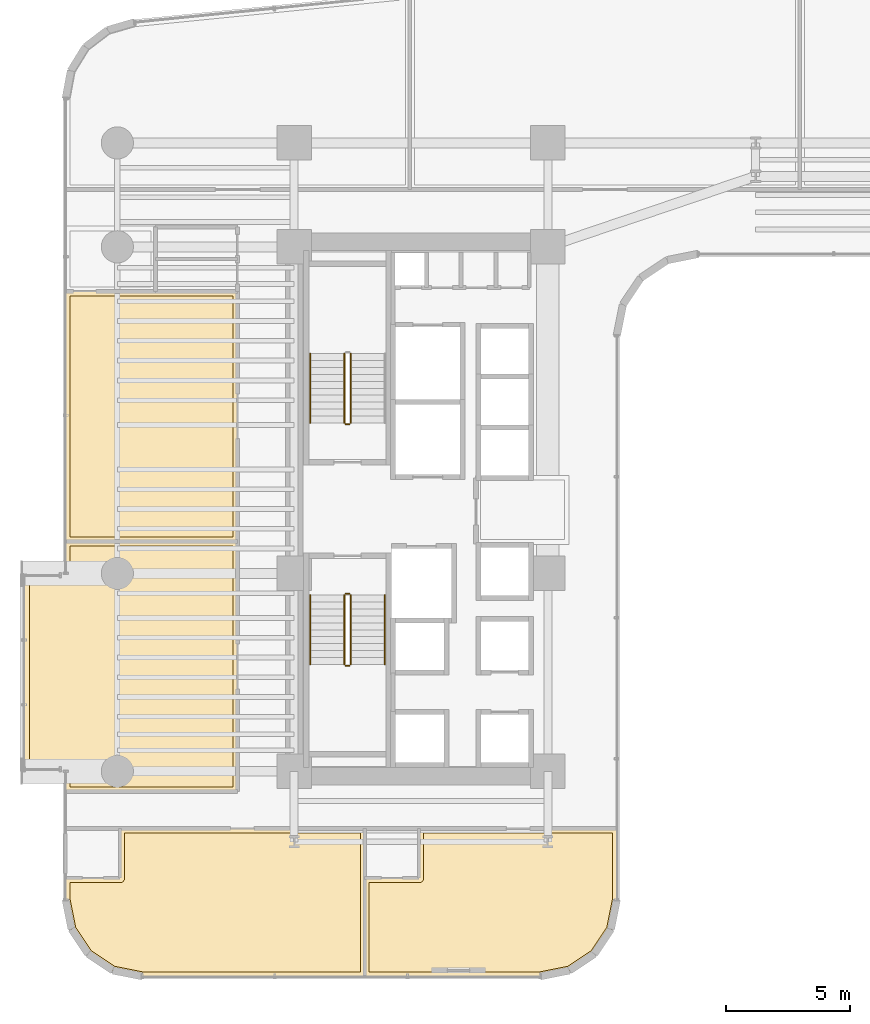
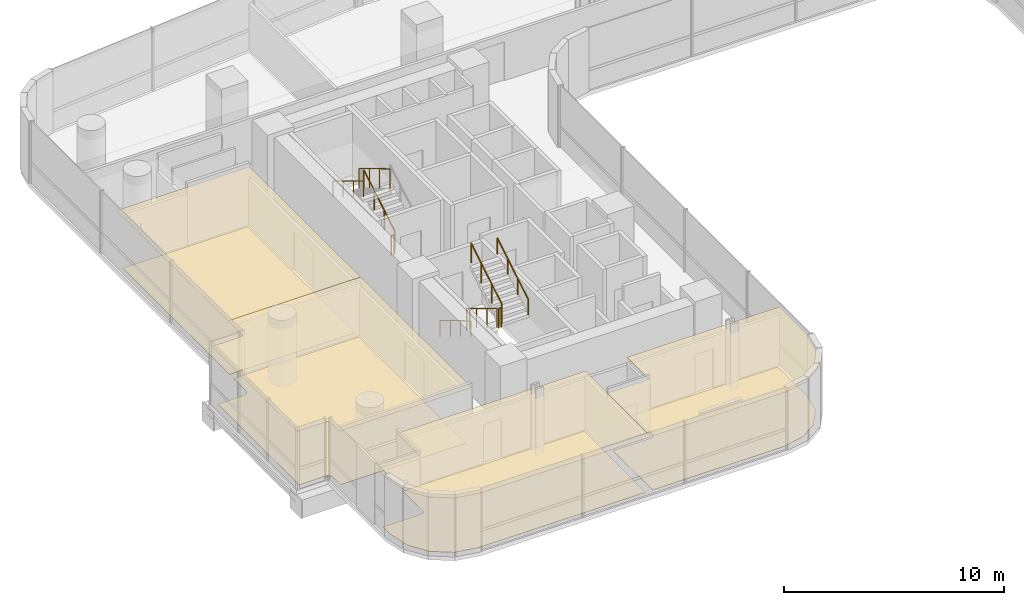
# One storey, part 37 of 41: 10 railings, 8 coverings.
"""IFC4 building model written with IfcOpenShell, lengths in metres."""

from ifc_helpers import new_model, si_unit, direction, frame, origin, origin_2d, place, context, subcontext, project, spatial, polyline, circle, outline, extrude, material, layer, layer_set, type_object, element, save


model = new_model("IFC4")

# Units and contexts
model_context = context("Model", 3, precision=1e-05, world=origin(), true_north=direction((0.0, 1.0)))
body_context = subcontext(model_context, "Body", "Model", "MODEL_VIEW")
ifc_project = project(units=[si_unit("LENGTHUNIT", "METRE"), si_unit("AREAUNIT", "SQUARE_METRE"), si_unit("VOLUMEUNIT", "CUBIC_METRE"), si_unit("PLANEANGLEUNIT", "RADIAN"), si_unit("MASSUNIT", "GRAM", prefix="KILO")], contexts=[model_context])

# Site, building, storey
site_placement = place(None, origin())
site = spatial("IfcSite", under=ifc_project, at=site_placement, CompositionType="ELEMENT")
building_placement = place(site_placement, origin())
building = spatial("IfcBuilding", under=site, at=building_placement, Name="Valdorenza Pilgrim Sanctuary Tower", CompositionType="ELEMENT")
storey_placement = place(building_placement, frame((0.0, 0.0, 63.0)))
storey = spatial("IfcBuildingStorey", under=building, at=storey_placement, Name="L15", CompositionType="ELEMENT", Elevation=63.0)

# Coverings
ifc_material_1 = material(Name="Micro-perforated acoustic mineral ceiling tile", Category="gypsum")
ifc_layer_1 = layer(ifc_material_1, 0.02490234375, Name="Micro-perforated acoustic mineral ceiling tile")
ifc_layer_set_1 = layer_set([ifc_layer_1], Name="Micro-perforated acoustic mineral ceiling tile")
covering_type_1 = type_object("IfcCoveringType", Name="COV-CLG-ACU", PredefinedType="CEILING", material=ifc_layer_set_1)
covering_1_placement = place(storey_placement, frame((0.0, 0.0, 3.159912109375)))
element("IfcCovering", 1, at=covering_1_placement, inside=storey, type_object=covering_type_1, Name="L15 Theological Seminar Classroom L15-WH1 Acoustic Ceiling", PredefinedType="CEILING", context=body_context, shape_type="SweptSolid", body=[
    extrude(outline(polyline([(-24.93505859375, -11.419921875), (-24.93505859375, -11.42138671875), (-24.935302734375, -11.4228515625), (-24.935546875, -11.42431640625), (-24.93603515625, -11.42578125), (-24.936767578125, -11.427001953125), (-24.9375, -11.42822265625), (-24.9384765625, -11.429443359375), (-24.939453125, -11.4306640625), (-24.9404296875, -11.431640625), (-24.941650390625, -11.4326171875), (-24.94287109375, -11.43310546875), (-24.9443359375, -11.433837890625), (-24.945556640625, -11.434326171875), (-24.947021484375, -11.434814453125), (-24.948486328125, -11.434814453125), (-24.949951171875, -11.43505859375), (-31.889892578125, -11.43505859375), (-31.8916015625, -11.434814453125), (-31.892822265625, -11.434814453125), (-31.894287109375, -11.434326171875), (-31.895751953125, -11.433837890625), (-31.897216796875, -11.43310546875), (-31.898193359375, -11.4326171875), (-31.8994140625, -11.431640625), (-31.900634765625, -11.4306640625), (-31.901611328125, -11.429443359375), (-31.902587890625, -11.42822265625), (-31.9033203125, -11.427001953125), (-31.90380859375, -11.42578125), (-31.904296875, -11.42431640625), (-31.90478515625, -11.4228515625), (-31.90478515625, -11.42138671875), (-31.905029296875, -11.419921875), (-31.905029296875, -10.600341796875), (-31.905517578125, -10.5908203125), (-31.90673828125, -10.58154296875), (-31.9091796875, -10.572509765625), (-31.912109375, -10.563720703125), (-31.916259765625, -10.55517578125), (-31.9208984375, -10.547119140625), (-31.926513671875, -10.539794921875), (-31.932861328125, -10.53271484375), (-31.939697265625, -10.526611328125), (-31.947265625, -10.52099609375), (-31.955078125, -10.51611328125), (-31.963623046875, -10.51220703125), (-31.972412109375, -10.509033203125), (-31.9814453125, -10.5068359375), (-31.99072265625, -10.505615234375), (-32.00048828125, -10.5048828125), (-33.5400390625, -10.5048828125), (-33.54150390625, -10.5048828125), (-33.54296875, -10.504638671875), (-33.54443359375, -10.50439453125), (-33.545654296875, -10.50390625), (-33.547119140625, -10.503173828125), (-33.54833984375, -10.50244140625), (-33.549560546875, -10.501708984375), (-33.550537109375, -10.50048828125), (-33.551513671875, -10.49951171875), (-33.552490234375, -10.498291015625), (-33.55322265625, -10.4970703125), (-33.553955078125, -10.49560546875), (-33.554443359375, -10.494384765625), (-33.5546875, -10.492919921875), (-33.554931640625, -10.491455078125), (-33.554931640625, -10.489990234375), (-33.554931640625, -2.7099609375), (-33.554931640625, -2.70849609375), (-33.5546875, -2.70703125), (-33.554443359375, -2.70556640625), (-33.553955078125, -2.704345703125), (-33.55322265625, -2.702880859375), (-33.552490234375, -2.70166015625), (-33.551513671875, -2.700439453125), (-33.550537109375, -2.699462890625), (-33.549560546875, -2.698486328125), (-33.54833984375, -2.697509765625), (-33.547119140625, -2.69677734375), (-33.545654296875, -2.696044921875), (-33.54443359375, -2.695556640625), (-33.54296875, -2.6953125), (-33.54150390625, -2.695068359375), (-33.5400390625, -2.695068359375), (-32.00048828125, -2.695068359375), (-31.99072265625, -2.694580078125), (-31.9814453125, -2.693115234375), (-31.972412109375, -2.69091796875), (-31.963623046875, -2.687744140625), (-31.955078125, -2.683837890625), (-31.947265625, -2.678955078125), (-31.939697265625, -2.67333984375), (-31.932861328125, -2.667236328125), (-31.926513671875, -2.660400390625), (-31.9208984375, -2.65283203125), (-31.916259765625, -2.644775390625), (-31.912109375, -2.63623046875), (-31.9091796875, -2.627685546875), (-31.90673828125, -2.618408203125), (-31.905517578125, -2.609375), (-31.905029296875, -2.599609375), (-31.905029296875, -1.31005859375), (-31.90478515625, -1.30859375), (-31.90478515625, -1.30712890625), (-31.904296875, -1.3056640625), (-31.90380859375, -1.30419921875), (-31.9033203125, -1.302978515625), (-31.902587890625, -1.3017578125), (-31.901611328125, -1.300537109375), (-31.900634765625, -1.29931640625), (-31.8994140625, -1.29833984375), (-31.898193359375, -1.297607421875), (-31.897216796875, -1.296875), (-31.895751953125, -1.296142578125), (-31.894287109375, -1.295654296875), (-31.892822265625, -1.29541015625), (-31.8916015625, -1.295166015625), (-31.889892578125, -1.294921875), (-24.949951171875, -1.294921875), (-24.948486328125, -1.295166015625), (-24.947021484375, -1.29541015625), (-24.945556640625, -1.295654296875), (-24.9443359375, -1.296142578125), (-24.94287109375, -1.296875), (-24.941650390625, -1.297607421875), (-24.9404296875, -1.29833984375), (-24.939453125, -1.29931640625), (-24.9384765625, -1.300537109375), (-24.9375, -1.3017578125), (-24.936767578125, -1.302978515625), (-24.93603515625, -1.30419921875), (-24.935546875, -1.3056640625), (-24.935302734375, -1.30712890625), (-24.93505859375, -1.30859375), (-24.93505859375, -1.31005859375), (-24.93505859375, -11.419921875)])), origin(), (0.0, 0.0, 1.0), 0.025146484375),
])
covering_2_placement = place(storey_placement, frame((0.0, 0.0, 3.159912109375)))
element("IfcCovering", 2, at=covering_2_placement, inside=storey, type_object=covering_type_1, Name="L15 Theological Seminar Classroom L15-WH2 Acoustic Ceiling", PredefinedType="CEILING", context=body_context, shape_type="SweptSolid", body=[
    extrude(outline(polyline([(-28.253662109375, 8.81298828125), (-28.253173828125, 8.81298828125), (-28.25146484375, 8.813232421875), (-28.25, 8.813232421875), (-28.24853515625, 8.81298828125), (-28.248291015625, 8.81298828125), (-24.949951171875, 8.81298828125), (-24.948486328125, 8.81298828125), (-24.947021484375, 8.812744140625), (-24.945556640625, 8.8125), (-24.9443359375, 8.81201171875), (-24.94287109375, 8.811279296875), (-24.941650390625, 8.810546875), (-24.9404296875, 8.8095703125), (-24.939453125, 8.80859375), (-24.9384765625, 8.8076171875), (-24.9375, 8.806396484375), (-24.936767578125, 8.80517578125), (-24.93603515625, 8.8037109375), (-24.935546875, 8.802490234375), (-24.935302734375, 8.80078125), (-24.93505859375, 8.799560546875), (-24.93505859375, 8.798095703125), (-24.93505859375, -1.30810546875), (-24.93505859375, -1.3095703125), (-24.935302734375, -1.310791015625), (-24.935546875, -1.3125), (-24.93603515625, -1.313720703125), (-24.936767578125, -1.315185546875), (-24.9375, -1.31640625), (-24.9384765625, -1.3173828125), (-24.939453125, -1.318603515625), (-24.9404296875, -1.319580078125), (-24.941650390625, -1.320556640625), (-24.94287109375, -1.3212890625), (-24.9443359375, -1.322021484375), (-24.945556640625, -1.322509765625), (-24.947021484375, -1.32275390625), (-24.948486328125, -1.322998046875), (-24.949951171875, -1.322998046875), (-31.889892578125, -1.322998046875), (-31.8916015625, -1.322998046875), (-31.892822265625, -1.32275390625), (-31.894287109375, -1.322509765625), (-31.895751953125, -1.322021484375), (-31.897216796875, -1.3212890625), (-31.898193359375, -1.320556640625), (-31.8994140625, -1.319580078125), (-31.900634765625, -1.318603515625), (-31.901611328125, -1.3173828125), (-31.902587890625, -1.31640625), (-31.9033203125, -1.315185546875), (-31.90380859375, -1.313720703125), (-31.904296875, -1.3125), (-31.90478515625, -1.310791015625), (-31.90478515625, -1.3095703125), (-31.905029296875, -1.30810546875), (-31.905029296875, 8.798095703125), (-31.90478515625, 8.799560546875), (-31.90478515625, 8.80078125), (-31.904296875, 8.802490234375), (-31.90380859375, 8.8037109375), (-31.9033203125, 8.80517578125), (-31.902587890625, 8.806396484375), (-31.901611328125, 8.8076171875), (-31.900634765625, 8.80859375), (-31.8994140625, 8.8095703125), (-31.898193359375, 8.810546875), (-31.897216796875, 8.811279296875), (-31.895751953125, 8.81201171875), (-31.894287109375, 8.8125), (-31.892822265625, 8.812744140625), (-31.8916015625, 8.81298828125), (-31.889892578125, 8.81298828125), (-28.253662109375, 8.81298828125)])), origin(), (0.0, 0.0, 1.0), 0.025146484375),
])
covering_3_placement = place(storey_placement, frame((0.0, 0.0, 3.159912109375)))
element("IfcCovering", 3, at=covering_3_placement, inside=storey, type_object=covering_type_1, Name="L15 South Guest Room L15-S1 Acoustic Ceiling", PredefinedType="CEILING", context=body_context, shape_type="SweptSolid", body=[
    extrude(outline(polyline([(-29.702880859375, -14.906982421875), (-29.702880859375, -12.919921875), (-29.702880859375, -12.91845703125), (-29.70263671875, -12.9169921875), (-29.702392578125, -12.91552734375), (-29.701904296875, -12.914306640625), (-29.701171875, -12.912841796875), (-29.700439453125, -12.91162109375), (-29.69970703125, -12.910400390625), (-29.698486328125, -12.909423828125), (-29.697509765625, -12.908447265625), (-29.6962890625, -12.907470703125), (-29.695068359375, -12.90673828125), (-29.693603515625, -12.906005859375), (-29.6923828125, -12.905517578125), (-29.69091796875, -12.9052734375), (-29.689453125, -12.905029296875), (-29.68798828125, -12.905029296875), (-19.800048828125, -12.905029296875), (-19.798583984375, -12.905029296875), (-19.797119140625, -12.9052734375), (-19.795654296875, -12.905517578125), (-19.794189453125, -12.906005859375), (-19.79296875, -12.90673828125), (-19.791748046875, -12.907470703125), (-19.79052734375, -12.908447265625), (-19.789306640625, -12.909423828125), (-19.788330078125, -12.910400390625), (-19.78759765625, -12.91162109375), (-19.786865234375, -12.912841796875), (-19.7861328125, -12.914306640625), (-19.78564453125, -12.91552734375), (-19.785400390625, -12.9169921875), (-19.78515625, -12.91845703125), (-19.784912109375, -12.919921875), (-19.784912109375, -18.889892578125), (-19.78515625, -18.8916015625), (-19.785400390625, -18.892822265625), (-19.78564453125, -18.894287109375), (-19.7861328125, -18.895751953125), (-19.786865234375, -18.897216796875), (-19.78759765625, -18.898193359375), (-19.788330078125, -18.8994140625), (-19.789306640625, -18.900634765625), (-19.79052734375, -18.901611328125), (-19.791748046875, -18.902587890625), (-19.79296875, -18.9033203125), (-19.794189453125, -18.90380859375), (-19.795654296875, -18.904296875), (-19.797119140625, -18.90478515625), (-19.798583984375, -18.90478515625), (-19.800048828125, -18.905029296875), (-28.789306640625, -18.905029296875), (-28.79052734375, -18.90478515625), (-28.7919921875, -18.90478515625), (-29.984619140625, -18.66748046875), (-29.986083984375, -18.6669921875), (-29.9873046875, -18.66650390625), (-29.98876953125, -18.666015625), (-29.989990234375, -18.665283203125), (-30.99169921875, -17.995849609375), (-30.992919921875, -17.9951171875), (-30.993896484375, -17.993896484375), (-30.9951171875, -17.992919921875), (-30.995849609375, -17.99169921875), (-31.665283203125, -16.989990234375), (-31.666015625, -16.98876953125), (-31.66650390625, -16.9873046875), (-31.6669921875, -16.986083984375), (-31.66748046875, -16.984619140625), (-31.90478515625, -15.7919921875), (-31.90478515625, -15.79052734375), (-31.905029296875, -15.789306640625), (-31.905029296875, -14.922119140625), (-31.90478515625, -14.92041015625), (-31.90478515625, -14.919189453125), (-31.904296875, -14.91748046875), (-31.90380859375, -14.916259765625), (-31.9033203125, -14.914794921875), (-31.902587890625, -14.913818359375), (-31.901611328125, -14.91259765625), (-31.900634765625, -14.911376953125), (-31.8994140625, -14.910400390625), (-31.898193359375, -14.909423828125), (-31.897216796875, -14.90869140625), (-31.895751953125, -14.908203125), (-31.894287109375, -14.90771484375), (-31.892822265625, -14.9072265625), (-31.8916015625, -14.906982421875), (-31.889892578125, -14.906982421875), (-29.702880859375, -14.906982421875)])), origin(), (0.0, 0.0, 1.0), 0.025146484375),
])
covering_4_placement = place(storey_placement, frame((0.0, 0.0, 3.159912109375)))
element("IfcCovering", 4, at=covering_4_placement, inside=storey, type_object=covering_type_1, Name="L15 South Guest Room L15-S2 Acoustic Ceiling", PredefinedType="CEILING", context=body_context, shape_type="SweptSolid", body=[
    extrude(outline(polyline([(-17.613037109375, -14.906982421875), (-17.613037109375, -12.919921875), (-17.61279296875, -12.91845703125), (-17.61279296875, -12.9169921875), (-17.6123046875, -12.91552734375), (-17.61181640625, -12.914306640625), (-17.611083984375, -12.912841796875), (-17.610595703125, -12.91162109375), (-17.609619140625, -12.910400390625), (-17.608642578125, -12.909423828125), (-17.607421875, -12.908447265625), (-17.606201171875, -12.907470703125), (-17.60498046875, -12.90673828125), (-17.603759765625, -12.906005859375), (-17.602294921875, -12.905517578125), (-17.600830078125, -12.9052734375), (-17.599609375, -12.905029296875), (-17.597900390625, -12.905029296875), (-9.610107421875, -12.905029296875), (-9.6083984375, -12.905029296875), (-9.607177734375, -12.9052734375), (-9.605712890625, -12.905517578125), (-9.604248046875, -12.906005859375), (-9.602783203125, -12.90673828125), (-9.601806640625, -12.907470703125), (-9.6005859375, -12.908447265625), (-9.599365234375, -12.909423828125), (-9.598388671875, -12.910400390625), (-9.597412109375, -12.91162109375), (-9.5966796875, -12.912841796875), (-9.59619140625, -12.914306640625), (-9.595703125, -12.91552734375), (-9.59521484375, -12.9169921875), (-9.59521484375, -12.91845703125), (-9.594970703125, -12.919921875), (-9.594970703125, -15.789306640625), (-9.59521484375, -15.79052734375), (-9.59521484375, -15.7919921875), (-9.83251953125, -16.984619140625), (-9.8330078125, -16.986083984375), (-9.83349609375, -16.9873046875), (-9.833984375, -16.98876953125), (-9.834716796875, -16.989990234375), (-10.504150390625, -17.99169921875), (-10.5048828125, -17.992919921875), (-10.506103515625, -17.993896484375), (-10.507080078125, -17.9951171875), (-10.50830078125, -17.995849609375), (-11.510009765625, -18.665283203125), (-11.51123046875, -18.666015625), (-11.5126953125, -18.66650390625), (-11.513916015625, -18.6669921875), (-11.515380859375, -18.66748046875), (-12.7080078125, -18.90478515625), (-12.70947265625, -18.90478515625), (-12.710693359375, -18.905029296875), (-19.798095703125, -18.905029296875), (-19.799560546875, -18.90478515625), (-19.80078125, -18.90478515625), (-19.802490234375, -18.904296875), (-19.8037109375, -18.90380859375), (-19.80517578125, -18.9033203125), (-19.806396484375, -18.902587890625), (-19.8076171875, -18.901611328125), (-19.80859375, -18.900634765625), (-19.8095703125, -18.8994140625), (-19.810546875, -18.898193359375), (-19.811279296875, -18.897216796875), (-19.81201171875, -18.895751953125), (-19.8125, -18.894287109375), (-19.812744140625, -18.892822265625), (-19.81298828125, -18.8916015625), (-19.81298828125, -18.889892578125), (-19.81298828125, -14.922119140625), (-19.81298828125, -14.92041015625), (-19.812744140625, -14.919189453125), (-19.8125, -14.91748046875), (-19.81201171875, -14.916259765625), (-19.811279296875, -14.914794921875), (-19.810546875, -14.913818359375), (-19.8095703125, -14.91259765625), (-19.80859375, -14.911376953125), (-19.8076171875, -14.910400390625), (-19.806396484375, -14.909423828125), (-19.80517578125, -14.90869140625), (-19.8037109375, -14.908203125), (-19.802490234375, -14.90771484375), (-19.80078125, -14.9072265625), (-19.799560546875, -14.906982421875), (-19.798095703125, -14.906982421875), (-17.613037109375, -14.906982421875)])), origin(), (0.0, 0.0, 1.0), 0.025146484375),
])
ifc_material_2 = material(Name="Engineered European oak timber flooring", Category="wood")
ifc_layer_2 = layer(ifc_material_2, 0.02197265625, Name="Engineered European oak timber flooring")
ifc_layer_set_2 = layer_set([ifc_layer_2], Name="Engineered European oak timber flooring")
covering_type_2 = type_object("IfcCoveringType", Name="COV-FLR-OAK", PredefinedType="FLOORING", material=ifc_layer_set_2)
covering_5_placement = place(storey_placement, origin())
element("IfcCovering", 5, at=covering_5_placement, inside=storey, type_object=covering_type_2, Name="L15 Theological Seminar Classroom L15-WH1 Flooring", PredefinedType="FLOORING", context=body_context, shape_type="SweptSolid", body=[
    extrude(outline(polyline([(-25.1298828125, -11.239990234375), (-31.7099609375, -11.239990234375), (-31.7099609375, -10.60009765625), (-31.710205078125, -10.59130859375), (-31.710693359375, -10.580322265625), (-31.71240234375, -10.562744140625), (-31.714111328125, -10.552001953125), (-31.717529296875, -10.534912109375), (-31.72021484375, -10.5244140625), (-31.725341796875, -10.50732421875), (-31.72900390625, -10.497314453125), (-31.735595703125, -10.48095703125), (-31.740234375, -10.47119140625), (-31.74853515625, -10.45556640625), (-31.754150390625, -10.4462890625), (-31.763916015625, -10.431640625), (-31.7705078125, -10.423095703125), (-31.781494140625, -10.4091796875), (-31.788818359375, -10.4013671875), (-31.80126953125, -10.388916015625), (-31.809326171875, -10.381591796875), (-31.822998046875, -10.370361328125), (-31.831787109375, -10.364013671875), (-31.84619140625, -10.35400390625), (-31.855712890625, -10.3486328125), (-31.87109375, -10.34033203125), (-31.880859375, -10.335693359375), (-31.897216796875, -10.328857421875), (-31.907470703125, -10.3251953125), (-31.92431640625, -10.320068359375), (-31.934814453125, -10.3173828125), (-31.9521484375, -10.314208984375), (-31.962890625, -10.3125), (-31.98046875, -10.310791015625), (-31.9912109375, -10.310302734375), (-32.0, -10.31005859375), (-33.360107421875, -10.31005859375), (-33.360107421875, -2.889892578125), (-32.0, -2.889892578125), (-31.9912109375, -2.889892578125), (-31.98046875, -2.889404296875), (-31.962890625, -2.887451171875), (-31.9521484375, -2.885986328125), (-31.934814453125, -2.882568359375), (-31.92431640625, -2.8798828125), (-31.907470703125, -2.874755859375), (-31.897216796875, -2.87109375), (-31.880859375, -2.8642578125), (-31.87109375, -2.859619140625), (-31.855712890625, -2.851318359375), (-31.84619140625, -2.845947265625), (-31.831787109375, -2.8359375), (-31.822998046875, -2.82958984375), (-31.809326171875, -2.818359375), (-31.80126953125, -2.811279296875), (-31.788818359375, -2.798583984375), (-31.781494140625, -2.790771484375), (-31.7705078125, -2.777099609375), (-31.763916015625, -2.768310546875), (-31.754150390625, -2.753662109375), (-31.74853515625, -2.744384765625), (-31.740234375, -2.728759765625), (-31.735595703125, -2.718994140625), (-31.72900390625, -2.70263671875), (-31.725341796875, -2.692626953125), (-31.72021484375, -2.67578125), (-31.717529296875, -2.665283203125), (-31.714111328125, -2.64794921875), (-31.71240234375, -2.63720703125), (-31.710693359375, -2.61962890625), (-31.710205078125, -2.60888671875), (-31.7099609375, -2.60009765625), (-31.7099609375, -1.489990234375), (-25.1298828125, -1.489990234375), (-25.1298828125, -11.239990234375)])), origin(), (0.0, 0.0, 1.0), 0.02490234375),
])
covering_6_placement = place(storey_placement, origin())
element("IfcCovering", 6, at=covering_6_placement, inside=storey, type_object=covering_type_2, Name="L15 Theological Seminar Classroom L15-WH2 Flooring", PredefinedType="FLOORING", context=body_context, shape_type="SweptSolid", body=[
    extrude(outline(polyline([(-28.250244140625, 8.617919921875), (-28.25, 8.617919921875), (-25.1298828125, 8.617919921875), (-25.1298828125, -1.1279296875), (-31.7099609375, -1.1279296875), (-31.7099609375, 8.617919921875), (-28.251953125, 8.617919921875), (-28.2509765625, 8.617919921875), (-28.250244140625, 8.617919921875)])), origin(), (0.0, 0.0, 1.0), 0.02490234375),
])
covering_7_placement = place(storey_placement, origin())
element("IfcCovering", 7, at=covering_7_placement, inside=storey, type_object=covering_type_2, Name="L15 South Guest Room L15-S1 Flooring", PredefinedType="FLOORING", context=body_context, shape_type="SweptSolid", body=[
    extrude(outline(polyline([(-28.771484375, -18.7099609375), (-29.911376953125, -18.483154296875), (-30.853515625, -17.853515625), (-31.483154296875, -16.911376953125), (-31.7099609375, -15.771484375), (-31.7099609375, -15.10205078125), (-29.68994140625, -15.10205078125), (-29.68115234375, -15.101806640625), (-29.680908203125, -15.101806640625), (-29.663330078125, -15.10009765625), (-29.6630859375, -15.10009765625), (-29.64599609375, -15.0966796875), (-29.645751953125, -15.096435546875), (-29.62890625, -15.09130859375), (-29.628662109375, -15.09130859375), (-29.6123046875, -15.084716796875), (-29.612060546875, -15.08447265625), (-29.596435546875, -15.076171875), (-29.596435546875, -15.076171875), (-29.581787109375, -15.066162109375), (-29.58154296875, -15.066162109375), (-29.56787109375, -15.054931640625), (-29.567626953125, -15.0546875), (-29.55517578125, -15.042236328125), (-29.55517578125, -15.0419921875), (-29.5439453125, -15.028564453125), (-29.543701171875, -15.0283203125), (-29.533935546875, -15.013671875), (-29.53369140625, -15.013427734375), (-29.525390625, -14.997802734375), (-29.525390625, -14.997802734375), (-29.518798828125, -14.9814453125), (-29.5185546875, -14.981201171875), (-29.513427734375, -14.96435546875), (-29.513427734375, -14.964111328125), (-29.510009765625, -14.94677734375), (-29.510009765625, -14.946533203125), (-29.50830078125, -14.928955078125), (-29.50830078125, -14.9287109375), (-29.508056640625, -14.919921875), (-29.508056640625, -13.10009765625), (-19.97998046875, -13.10009765625), (-19.97998046875, -18.7099609375), (-28.771484375, -18.7099609375)])), origin(), (0.0, 0.0, 1.0), 0.02490234375),
])
covering_8_placement = place(storey_placement, origin())
element("IfcCovering", 8, at=covering_8_placement, inside=storey, type_object=covering_type_2, Name="L15 South Guest Room L15-S2 Flooring", PredefinedType="FLOORING", context=body_context, shape_type="SweptSolid", body=[
    extrude(outline(polyline([(-10.016845703125, -16.911376953125), (-10.646484375, -17.853515625), (-11.588623046875, -18.483154296875), (-12.728515625, -18.7099609375), (-19.617919921875, -18.7099609375), (-19.617919921875, -15.10205078125), (-17.60009765625, -15.10205078125), (-17.59130859375, -15.101806640625), (-17.591064453125, -15.101806640625), (-17.573486328125, -15.10009765625), (-17.5732421875, -15.10009765625), (-17.555908203125, -15.0966796875), (-17.5556640625, -15.096435546875), (-17.538818359375, -15.09130859375), (-17.53857421875, -15.09130859375), (-17.522216796875, -15.084716796875), (-17.522216796875, -15.08447265625), (-17.506591796875, -15.076171875), (-17.50634765625, -15.076171875), (-17.49169921875, -15.066162109375), (-17.491455078125, -15.066162109375), (-17.477783203125, -15.054931640625), (-17.477783203125, -15.0546875), (-17.465087890625, -15.042236328125), (-17.465087890625, -15.0419921875), (-17.453857421875, -15.028564453125), (-17.453857421875, -15.0283203125), (-17.44384765625, -15.013671875), (-17.44384765625, -15.013427734375), (-17.435546875, -14.997802734375), (-17.435302734375, -14.997802734375), (-17.4287109375, -14.9814453125), (-17.4287109375, -14.981201171875), (-17.423583984375, -14.96435546875), (-17.42333984375, -14.964111328125), (-17.419921875, -14.94677734375), (-17.419921875, -14.946533203125), (-17.418212890625, -14.928955078125), (-17.418212890625, -14.9287109375), (-17.41796875, -14.919921875), (-17.41796875, -13.10009765625), (-9.7900390625, -13.10009765625), (-9.7900390625, -15.771484375), (-10.016845703125, -16.911376953125)])), origin(), (0.0, 0.0, 1.0), 0.02490234375),
])

# Railings
ifc_material_3 = material(Name="Stainless steel Grade 316", Category="steel")
railing_type_1 = type_object("IfcRailingType", Name="RLG-GRD-1120", PredefinedType="GUARDRAIL", material=ifc_material_3)
railing_1_placement = place(storey_placement, frame((-20.3701171875, 3.47998046875, 0.168212890625)))
element("IfcRailing", 9, at=railing_1_placement, inside=storey, type_object=railing_type_1, Name="L15 ST-A1 stair guard 1", PredefinedType="GUARDRAIL", context=body_context, shape_type="SweptSolid", body=[
    extrude(circle(Radius=0.02392578125, at=origin_2d()), frame((0.0, 0.0, 1.076171875), z_axis=(0.0, 0.857242210791, 0.514913383045), x_axis=(-1.0, 0.0, 0.0)), (0.0, 0.0, 1.0), 3.266357421875),
    extrude(circle(Radius=0.02099609375, at=origin_2d()), origin(), (0.0, 0.0, 1.0), 1.052001953125),
    extrude(circle(Radius=0.02099609375, at=origin_2d()), frame((0.0, 0.933349609375, 0.560546875)), (0.0, 0.0, 1.0), 1.052001953125),
    extrude(circle(Radius=0.02099609375, at=origin_2d()), frame((0.0, 1.86669921875, 1.121337890625)), (0.0, 0.0, 1.0), 1.052001953125),
    extrude(circle(Radius=0.02099609375, at=origin_2d()), frame((0.0, 2.800048828125, 1.681884765625)), (0.0, 0.0, 1.0), 1.052001953125),
])
railing_2_placement = place(storey_placement, frame((-20.6201171875, 6.280029296875, 2.01806640625)))
element("IfcRailing", 10, at=railing_2_placement, inside=storey, type_object=railing_type_1, Name="L15 ST-A1 stair guard 3", PredefinedType="GUARDRAIL", context=body_context, shape_type="SweptSolid", body=[
    extrude(circle(Radius=0.02392578125, at=origin_2d()), frame((0.0, 0.0, 1.076171875), z_axis=(0.0, -0.857242210791, 0.514913383045), x_axis=(1.0, 0.0, 0.0)), (0.0, 0.0, 1.0), 3.266357421875),
    extrude(circle(Radius=0.02099609375, at=origin_2d()), origin(), (0.0, 0.0, 1.0), 1.052001953125),
    extrude(circle(Radius=0.02099609375, at=origin_2d()), frame((0.0, -0.933349609375, 0.560546875)), (0.0, 0.0, 1.0), 1.052001953125),
    extrude(circle(Radius=0.02099609375, at=origin_2d()), frame((0.0, -1.86669921875, 1.121337890625)), (0.0, 0.0, 1.0), 1.052001953125),
    extrude(circle(Radius=0.02099609375, at=origin_2d()), frame((0.0, -2.800048828125, 1.681884765625)), (0.0, 0.0, 1.0), 1.052001953125),
])
railing_3_placement = place(storey_placement, frame((-20.419921875, 3.429931640625, 0.0)))
element("IfcRailing", 11, at=railing_3_placement, inside=storey, type_object=railing_type_1, Name="L15 ST-A1 stair guard 4", PredefinedType="GUARDRAIL", context=body_context, shape_type="SweptSolid", body=[
    extrude(circle(Radius=0.02392578125, at=origin_2d()), frame((0.0, 0.0, 1.076171875), z_axis=(-1.0, 0.0, 0.0), x_axis=(0.0, -1.0, 0.0)), (0.0, 0.0, 1.0), 0.150146484375),
    extrude(circle(Radius=0.02099609375, at=origin_2d()), origin(), (0.0, 0.0, 1.0), 1.052001953125),
    extrude(circle(Radius=0.02099609375, at=origin_2d()), frame((-0.150146484375, 0.0, 0.0)), (0.0, 0.0, 1.0), 1.052001953125),
])
railing_4_placement = place(storey_placement, frame((-20.6201171875, -3.47998046875, 0.168212890625)))
element("IfcRailing", 12, at=railing_4_placement, inside=storey, type_object=railing_type_1, Name="L15 ST-A2 stair guard 1", PredefinedType="GUARDRAIL", context=body_context, shape_type="SweptSolid", body=[
    extrude(circle(Radius=0.02392578125, at=origin_2d()), frame((0.0, 0.0, 1.076171875), z_axis=(0.0, -0.857242210791, 0.514913383045), x_axis=(1.0, 0.0, 0.0)), (0.0, 0.0, 1.0), 3.266357421875),
    extrude(circle(Radius=0.02099609375, at=origin_2d()), origin(), (0.0, 0.0, 1.0), 1.052001953125),
    extrude(circle(Radius=0.02099609375, at=origin_2d()), frame((0.0, -0.933349609375, 0.560546875)), (0.0, 0.0, 1.0), 1.052001953125),
    extrude(circle(Radius=0.02099609375, at=origin_2d()), frame((0.0, -1.86669921875, 1.121337890625)), (0.0, 0.0, 1.0), 1.052001953125),
    extrude(circle(Radius=0.02099609375, at=origin_2d()), frame((0.0, -2.800048828125, 1.681884765625)), (0.0, 0.0, 1.0), 1.052001953125),
])
railing_5_placement = place(storey_placement, frame((-20.570068359375, -6.330078125, 1.85009765625)))
element("IfcRailing", 13, at=railing_5_placement, inside=storey, type_object=railing_type_1, Name="L15 ST-A2 stair guard 2", PredefinedType="GUARDRAIL", context=body_context, shape_type="SweptSolid", body=[
    extrude(circle(Radius=0.02392578125, at=origin_2d()), frame((0.0, 0.0, 1.076171875), z_axis=(1.0, 0.0, 0.0), x_axis=(0.0, 1.0, 0.0)), (0.0, 0.0, 1.0), 0.150146484375),
    extrude(circle(Radius=0.02099609375, at=origin_2d()), origin(), (0.0, 0.0, 1.0), 1.052001953125),
    extrude(circle(Radius=0.02099609375, at=origin_2d()), frame((0.150146484375, 0.0, 0.0)), (0.0, 0.0, 1.0), 1.052001953125),
])
railing_6_placement = place(storey_placement, frame((-20.3701171875, -6.280029296875, 2.01806640625)))
element("IfcRailing", 14, at=railing_6_placement, inside=storey, type_object=railing_type_1, Name="L15 ST-A2 stair guard 3", PredefinedType="GUARDRAIL", context=body_context, shape_type="SweptSolid", body=[
    extrude(circle(Radius=0.02392578125, at=origin_2d()), frame((0.0, 0.0, 1.076171875), z_axis=(0.0, 0.857242210791, 0.514913383045), x_axis=(-1.0, 0.0, 0.0)), (0.0, 0.0, 1.0), 3.266357421875),
    extrude(circle(Radius=0.02099609375, at=origin_2d()), origin(), (0.0, 0.0, 1.0), 1.052001953125),
    extrude(circle(Radius=0.02099609375, at=origin_2d()), frame((0.0, 0.933349609375, 0.560546875)), (0.0, 0.0, 1.0), 1.052001953125),
    extrude(circle(Radius=0.02099609375, at=origin_2d()), frame((0.0, 1.86669921875, 1.121337890625)), (0.0, 0.0, 1.0), 1.052001953125),
    extrude(circle(Radius=0.02099609375, at=origin_2d()), frame((0.0, 2.800048828125, 1.681884765625)), (0.0, 0.0, 1.0), 1.052001953125),
])
railing_7_placement = place(storey_placement, frame((-20.570068359375, -3.429931640625, 0.0)))
element("IfcRailing", 15, at=railing_7_placement, inside=storey, type_object=railing_type_1, Name="L15 ST-A2 stair guard 4", PredefinedType="GUARDRAIL", context=body_context, shape_type="SweptSolid", body=[
    extrude(circle(Radius=0.02392578125, at=origin_2d()), frame((0.0, 0.0, 1.076171875), z_axis=(1.0, 0.0, 0.0), x_axis=(0.0, 1.0, 0.0)), (0.0, 0.0, 1.0), 0.150146484375),
    extrude(circle(Radius=0.02099609375, at=origin_2d()), origin(), (0.0, 0.0, 1.0), 1.052001953125),
    extrude(circle(Radius=0.02099609375, at=origin_2d()), frame((0.150146484375, 0.0, 0.0)), (0.0, 0.0, 1.0), 1.052001953125),
])
ifc_material_4 = material(Name="Brushed stainless steel Grade 316", Category="steel")
railing_type_2 = type_object("IfcRailingType", Name="RLG-HND-920", PredefinedType="HANDRAIL", material=ifc_material_4)
for number, where, name in (
    (16, (-22.0, 6.280029296875, 2.01806640625), "L15 ST-A1 stair handrail 2"),
    (17, (-22.0, -3.47998046875, 0.168212890625), "L15 ST-A2 stair handrail 1"),
):
    element("IfcRailing", number, at=place(storey_placement, frame(where)), inside=storey, type_object=railing_type_2, Name=name, PredefinedType="HANDRAIL", context=body_context, shape_type="SweptSolid", body=[
        extrude(circle(Radius=0.02392578125, at=origin_2d()), frame((0.0, 0.0, 0.8759765625), z_axis=(0.0, -0.857242210791, 0.514913383045), x_axis=(1.0, 0.0, 0.0)), (0.0, 0.0, 1.0), 3.266357421875),
        extrude(circle(Radius=0.02099609375, at=origin_2d()), origin(), (0.0, 0.0, 1.0), 0.851806640625),
        extrude(circle(Radius=0.02099609375, at=origin_2d()), frame((0.0, -0.933349609375, 0.560546875)), (0.0, 0.0, 1.0), 0.851806640625),
        extrude(circle(Radius=0.02099609375, at=origin_2d()), frame((0.0, -1.86669921875, 1.121337890625)), (0.0, 0.0, 1.0), 0.851806640625),
        extrude(circle(Radius=0.02099609375, at=origin_2d()), frame((0.0, -2.800048828125, 1.681884765625)), (0.0, 0.0, 1.0), 0.851806640625),
    ])
railing_8_placement = place(storey_placement, frame((-18.989990234375, -6.280029296875, 2.01806640625)))
element("IfcRailing", 18, at=railing_8_placement, inside=storey, type_object=railing_type_2, Name="L15 ST-A2 stair handrail 2", PredefinedType="HANDRAIL", context=body_context, shape_type="SweptSolid", body=[
    extrude(circle(Radius=0.02392578125, at=origin_2d()), frame((0.0, 0.0, 0.8759765625), z_axis=(0.0, 0.857242210791, 0.514913383045), x_axis=(-1.0, 0.0, 0.0)), (0.0, 0.0, 1.0), 3.266357421875),
    extrude(circle(Radius=0.02099609375, at=origin_2d()), origin(), (0.0, 0.0, 1.0), 0.851806640625),
    extrude(circle(Radius=0.02099609375, at=origin_2d()), frame((0.0, 0.933349609375, 0.560546875)), (0.0, 0.0, 1.0), 0.851806640625),
    extrude(circle(Radius=0.02099609375, at=origin_2d()), frame((0.0, 1.86669921875, 1.121337890625)), (0.0, 0.0, 1.0), 0.851806640625),
    extrude(circle(Radius=0.02099609375, at=origin_2d()), frame((0.0, 2.800048828125, 1.681884765625)), (0.0, 0.0, 1.0), 0.851806640625),
])

save(model, "model.ifc")
